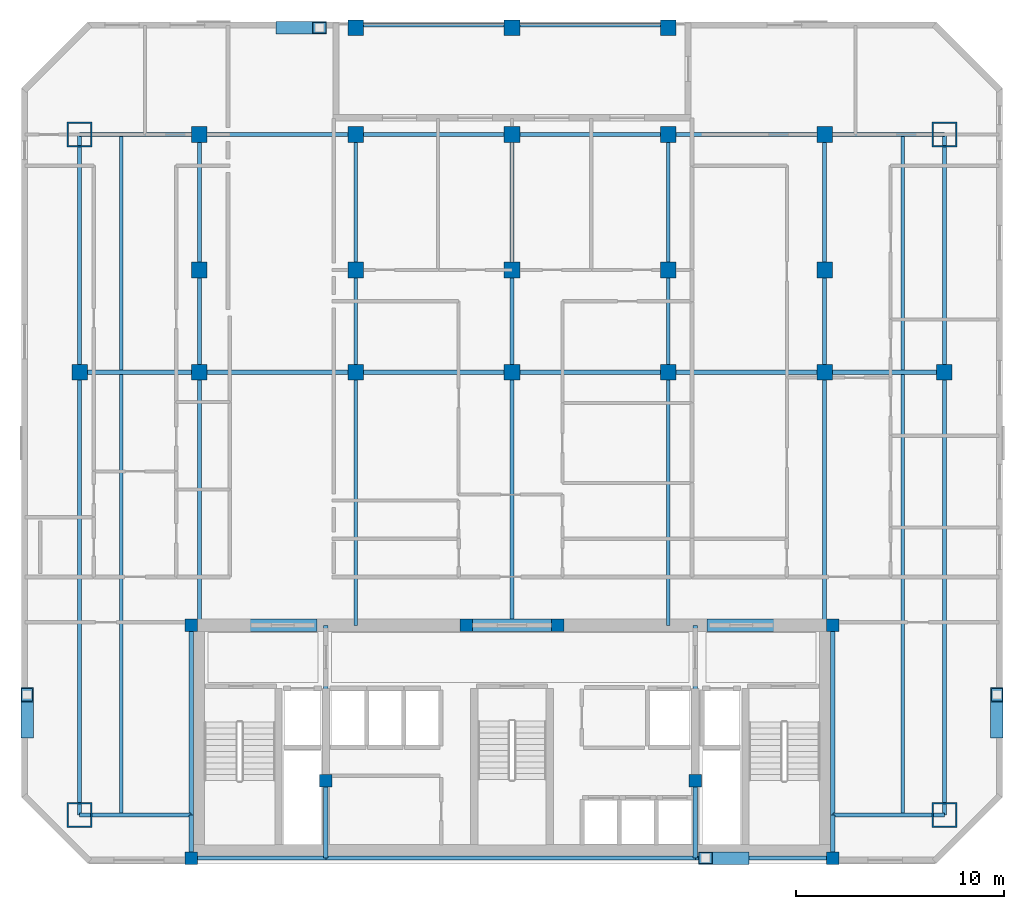
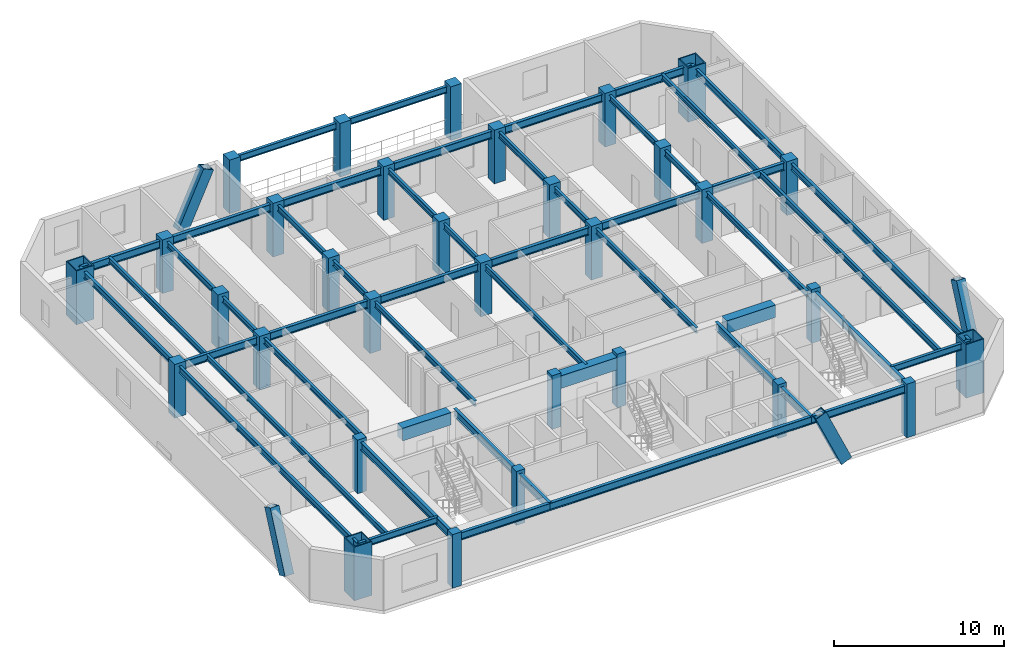
# One storey, part 1 of 8: 48 beams, 32 columns, 4 members.
"""IFC4 building model written with IfcOpenShell, lengths in metres."""

from ifc_helpers import new_model, si_unit, direction, frame, origin, origin_2d, place, context, subcontext, project, spatial, rectangle, hollow_rectangle, i_section, extrude, material, material_profile, profile_set, type_object, element, save


model = new_model("IFC4")

# Units and contexts
model_context = context("Model", 3, precision=1e-05, world=origin(), true_north=direction((0.0, 1.0)))
body_context = subcontext(model_context, "Body", "Model", "MODEL_VIEW")
ifc_project = project(units=[si_unit("LENGTHUNIT", "METRE"), si_unit("AREAUNIT", "SQUARE_METRE"), si_unit("VOLUMEUNIT", "CUBIC_METRE"), si_unit("PLANEANGLEUNIT", "RADIAN"), si_unit("MASSUNIT", "GRAM", prefix="KILO")], contexts=[model_context])

# Site, building, storey
site_placement = place(None, origin())
site = spatial("IfcSite", under=ifc_project, at=site_placement, CompositionType="ELEMENT")
building_placement = place(site_placement, origin())
building = spatial("IfcBuilding", under=site, at=building_placement, Name="Ventersveld Concourse Tower", CompositionType="ELEMENT")
storey_placement = place(building_placement, frame((0.0, 0.0, 196.449951171875)))
storey = spatial("IfcBuildingStorey", under=building, at=storey_placement, Name="L48", CompositionType="ELEMENT", Elevation=196.449951171875)

# Columns
ifc_material_1 = material(Name="Concrete C50/60", Category="concrete")
ifc_material_profile_1 = material_profile(ifc_material_1, rectangle(XDim=0.60009765625, YDim=0.60009765625, at=origin_2d()), Name="RC 600x600")
ifc_profile_set_1 = profile_set([ifc_material_profile_1], Name="Concrete C50/60")
column_type_1 = type_object("IfcColumnType", Name="COL-RC600", PredefinedType="COLUMN", material=ifc_profile_set_1)
for number, where, z_axis, x_axis, name in (
    (1, (13.35009765625, 0.280029296875, 0.0), (0.0, 0.0, 1.0), (1.0, 0.0, 0.0), "L48 Core Spine Column CC-SW"),
    (2, (44.14990234375, 0.280029296875, 0.0), (0.0, 0.0, 1.0), (1.0, 0.0, 0.0), "L48 Core Spine Column CC-SE"),
    (3, (13.35009765625, 11.449951171875, 0.0), (0.0, 0.0, 1.0), (1.0, 0.0, 0.0), "L48 Core Spine Column CC-NW"),
    (4, (44.14990234375, 11.449951171875, 0.0), (0.0, 0.0, 1.0), (1.0, 0.0, 0.0), "L48 Core Spine Column CC-NE"),
    (5, (19.820068359375, 4.0, 0.0), (0.0, 0.0, 1.0), (1.0, 0.0, 0.0), "L48 Core Spine Column CM-1"),
    (6, (37.550048828125, 4.0, 0.0), (0.0, 0.0, 1.0), (1.0, 0.0, 0.0), "L48 Core Spine Column CM-2"),
    (7, (26.550048828125, 11.449951171875, 0.0), (0.0, 0.0, 1.0), (1.0, 0.0, 0.0), "L48 Core Spine Column CM-3"),
    (8, (30.949951171875, 11.449951171875, 0.0), (0.0, 0.0, 1.0), (1.0, 0.0, 0.0), "L48 Core Spine Column CM-4"),
):
    element("IfcColumn", number, at=place(storey_placement, frame(where, z_axis=z_axis, x_axis=x_axis)), inside=storey, type_object=column_type_1, Name=name, PredefinedType="COLUMN", context=body_context, shape_type="SweptSolid", body=[
        extrude(rectangle(XDim=0.60009765625, YDim=0.60009765625, at=origin_2d()), origin(), (0.0, 0.0, 1.0), 3.85009765625),
    ])
ifc_material_profile_2 = material_profile(ifc_material_1, rectangle(XDim=0.75, YDim=0.75, at=origin_2d()), Name="RC 750x750")
ifc_profile_set_2 = profile_set([ifc_material_profile_2], Name="Concrete C50/60")
column_type_2 = type_object("IfcColumnType", Name="COL-RC750", PredefinedType="COLUMN", material=ifc_profile_set_2)
for number, where, z_axis, x_axis, name in (
    (9, (8.0, 23.60009765625, 0.0), (0.0, 0.0, 1.0), (1.0, 0.0, 0.0), "L48 Interior Gravity Column X=8.00 Y=23.60"),
    (10, (13.75, 23.60009765625, 0.0), (0.0, 0.0, 1.0), (1.0, 0.0, 0.0), "L48 Interior Gravity Column X=13.75 Y=23.60"),
    (11, (21.25, 23.60009765625, 0.0), (0.0, 0.0, 1.0), (1.0, 0.0, 0.0), "L48 Interior Gravity Column X=21.25 Y=23.60"),
    (12, (28.75, 23.60009765625, 0.0), (0.0, 0.0, 1.0), (1.0, 0.0, 0.0), "L48 Interior Gravity Column X=28.75 Y=23.60"),
    (13, (36.25, 23.60009765625, 0.0), (0.0, 0.0, 1.0), (1.0, 0.0, 0.0), "L48 Interior Gravity Column X=36.25 Y=23.60"),
    (14, (43.75, 23.60009765625, 0.0), (0.0, 0.0, 1.0), (1.0, 0.0, 0.0), "L48 Interior Gravity Column X=43.75 Y=23.60"),
    (15, (49.5, 23.60009765625, 0.0), (0.0, 0.0, 1.0), (1.0, 0.0, 0.0), "L48 Interior Gravity Column X=49.50 Y=23.60"),
    (16, (13.75, 28.5, 0.0), (0.0, 0.0, 1.0), (1.0, 0.0, 0.0), "L48 Upper-North Gravity Column X=13.75 Y=28.50"),
    (17, (21.25, 28.5, 0.0), (0.0, 0.0, 1.0), (1.0, 0.0, 0.0), "L48 Upper-North Gravity Column X=21.25 Y=28.50"),
    (18, (28.75, 28.5, 0.0), (0.0, 0.0, 1.0), (1.0, 0.0, 0.0), "L48 Upper-North Gravity Column X=28.75 Y=28.50"),
    (19, (36.25, 28.5, 0.0), (0.0, 0.0, 1.0), (1.0, 0.0, 0.0), "L48 Upper-North Gravity Column X=36.25 Y=28.50"),
    (20, (43.75, 28.5, 0.0), (0.0, 0.0, 1.0), (1.0, 0.0, 0.0), "L48 Upper-North Gravity Column X=43.75 Y=28.50"),
    (21, (21.25, 40.1201171875, 0.0), (0.0, 0.0, 1.0), (1.0, 0.0, 0.0), "L48 North Brace Node Column X=21.25 Y=40.12"),
    (22, (28.75, 40.1201171875, 0.0), (0.0, 0.0, 1.0), (1.0, 0.0, 0.0), "L48 North Brace Node Column X=28.75 Y=40.12"),
    (23, (36.25, 40.1201171875, 0.0), (0.0, 0.0, 1.0), (1.0, 0.0, 0.0), "L48 North Brace Node Column X=36.25 Y=40.12"),
    (24, (13.75, 35.0, 0.0), (0.0, 0.0, 1.0), (1.0, 0.0, 0.0), "L48 Mid-North Column X=13.75 Y=35.00"),
    (25, (21.25, 35.0, 0.0), (0.0, 0.0, 1.0), (1.0, 0.0, 0.0), "L48 Mid-North Column X=21.25 Y=35.00"),
    (26, (28.75, 35.0, 0.0), (0.0, 0.0, 1.0), (1.0, 0.0, 0.0), "L48 Mid-North Column X=28.75 Y=35.00"),
    (27, (36.25, 35.0, 0.0), (0.0, 0.0, 1.0), (1.0, 0.0, 0.0), "L48 Mid-North Column X=36.25 Y=35.00"),
    (28, (43.75, 35.0, 0.0), (0.0, 0.0, 1.0), (1.0, 0.0, 0.0), "L48 Mid-North Column X=43.75 Y=35.00"),
):
    element("IfcColumn", number, at=place(storey_placement, frame(where, z_axis=z_axis, x_axis=x_axis)), inside=storey, type_object=column_type_2, Name=name, PredefinedType="COLUMN", context=body_context, shape_type="SweptSolid", body=[
        extrude(rectangle(XDim=0.75, YDim=0.75, at=origin_2d()), origin(), (0.0, 0.0, 1.0), 3.85009765625),
    ])
ifc_material_2 = material(Name="Structural steel S460ML", Category="steel")
ifc_material_profile_3 = material_profile(ifc_material_2, hollow_rectangle(XDim=1.199951171875, YDim=1.199951171875, WallThickness=0.070068359375, at=origin_2d()), Name="BOX 1200x1200x70")
ifc_profile_set_3 = profile_set([ifc_material_profile_3], Name="Structural steel S460ML")
column_type_3 = type_object("IfcColumnType", Name="MC-1200", PredefinedType="USERDEFINED", material=ifc_profile_set_3)
for number, where, z_axis, x_axis, name in (
    (29, (8.0, 2.35009765625, 0.0), (0.0, 0.0, 1.0), (1.0, 0.0, 0.0), "L48 Corner Mega-Column MC-SW"),
    (30, (49.5, 2.35009765625, 0.0), (0.0, 0.0, 1.0), (1.0, 0.0, 0.0), "L48 Corner Mega-Column MC-SE"),
    (31, (49.5, 35.0, 0.0), (0.0, 0.0, 1.0), (1.0, 0.0, 0.0), "L48 Corner Mega-Column MC-NE"),
    (32, (8.0, 35.0, 0.0), (0.0, 0.0, 1.0), (1.0, 0.0, 0.0), "L48 Corner Mega-Column MC-NW"),
):
    element("IfcColumn", number, at=place(storey_placement, frame(where, z_axis=z_axis, x_axis=x_axis)), inside=storey, type_object=column_type_3, Name=name, ObjectType="MEGA_COLUMN", PredefinedType="USERDEFINED", context=body_context, shape_type="SweptSolid", body=[
        extrude(hollow_rectangle(XDim=1.199951171875, YDim=1.199951171875, WallThickness=0.070068359375, at=origin_2d()), origin(), (0.0, 0.0, 1.0), 3.85009765625),
    ])

# Beams
ifc_material_3 = material(Name="Structural steel S355J2", Category="steel")
ifc_material_profile_4 = material_profile(ifc_material_3, i_section(OverallWidth=0.177978515625, OverallDepth=0.406494140625, WebThickness=0.0078125, FlangeThickness=0.0126953125, FilletRadius=0.01025390625, at=origin_2d()), Name="UB 406x178x60")
ifc_profile_set_4 = profile_set([ifc_material_profile_4], Name="Structural steel S355J2")
beam_type_1 = type_object("IfcBeamType", Name="BM-UB406", PredefinedType="BEAM", material=ifc_profile_set_4)
beam_1_placement = place(storey_placement, frame((10.0, 2.35009765625, 3.4267578125), z_axis=(0.0, 1.0, 0.0), x_axis=(-1.0, 0.0, 0.0)))
element("IfcBeam", 33, at=beam_1_placement, inside=storey, type_object=beam_type_1, Name="L48 N-S Composite Floor Beam South X=10.00", PredefinedType="BEAM", context=body_context, shape_type="SweptSolid", body=[
    extrude(i_section(OverallWidth=0.177978515625, OverallDepth=0.406494140625, WebThickness=0.0078125, FlangeThickness=0.0126953125, FilletRadius=0.01025390625, at=origin_2d()), origin(), (0.0, 0.0, 1.0), 21.15478515625),
])
beam_2_placement = place(storey_placement, frame((10.0, 23.695068359375, 3.4267578125), z_axis=(0.0, 1.0, 0.0), x_axis=(-1.0, 0.0, 0.0)))
element("IfcBeam", 34, at=beam_2_placement, inside=storey, type_object=beam_type_1, Name="L48 N-S Composite Floor Beam Mid X=10.00", PredefinedType="BEAM", context=body_context, shape_type="SweptSolid", body=[
    extrude(i_section(OverallWidth=0.177978515625, OverallDepth=0.406494140625, WebThickness=0.0078125, FlangeThickness=0.0126953125, FilletRadius=0.01025390625, at=origin_2d()), origin(), (0.0, 0.0, 1.0), 11.304931640625),
])
beam_3_placement = place(storey_placement, frame((13.75, 11.449951171875, 3.4267578125), z_axis=(0.0, 1.0, 0.0), x_axis=(-1.0, 0.0, 0.0)))
element("IfcBeam", 35, at=beam_3_placement, inside=storey, type_object=beam_type_1, Name="L48 N-S Composite Floor Beam South X=13.75", PredefinedType="BEAM", context=body_context, shape_type="SweptSolid", body=[
    extrude(i_section(OverallWidth=0.177978515625, OverallDepth=0.406494140625, WebThickness=0.0078125, FlangeThickness=0.0126953125, FilletRadius=0.01025390625, at=origin_2d()), origin(), (0.0, 0.0, 1.0), 12.150146484375),
])
beam_4_placement = place(storey_placement, frame((13.75, 23.60009765625, 3.4267578125), z_axis=(0.0, 1.0, 0.0), x_axis=(-1.0, 0.0, 0.0)))
element("IfcBeam", 36, at=beam_4_placement, inside=storey, type_object=beam_type_1, Name="L48 N-S Composite Floor Beam Mid X=13.75", PredefinedType="BEAM", context=body_context, shape_type="SweptSolid", body=[
    extrude(i_section(OverallWidth=0.177978515625, OverallDepth=0.406494140625, WebThickness=0.0078125, FlangeThickness=0.0126953125, FilletRadius=0.01025390625, at=origin_2d()), origin(), (0.0, 0.0, 1.0), 11.39990234375),
])
beam_5_placement = place(storey_placement, frame((21.25, 11.449951171875, 3.4267578125), z_axis=(0.0, 1.0, 0.0), x_axis=(-1.0, 0.0, 0.0)))
element("IfcBeam", 37, at=beam_5_placement, inside=storey, type_object=beam_type_1, Name="L48 N-S Composite Floor Beam South X=21.25", PredefinedType="BEAM", context=body_context, shape_type="SweptSolid", body=[
    extrude(i_section(OverallWidth=0.177978515625, OverallDepth=0.406494140625, WebThickness=0.0078125, FlangeThickness=0.0126953125, FilletRadius=0.01025390625, at=origin_2d()), origin(), (0.0, 0.0, 1.0), 12.150146484375),
])
beam_6_placement = place(storey_placement, frame((21.25, 23.60009765625, 3.4267578125), z_axis=(0.0, 1.0, 0.0), x_axis=(-1.0, 0.0, 0.0)))
element("IfcBeam", 38, at=beam_6_placement, inside=storey, type_object=beam_type_1, Name="L48 N-S Composite Floor Beam Mid X=21.25", PredefinedType="BEAM", context=body_context, shape_type="SweptSolid", body=[
    extrude(i_section(OverallWidth=0.177978515625, OverallDepth=0.406494140625, WebThickness=0.0078125, FlangeThickness=0.0126953125, FilletRadius=0.01025390625, at=origin_2d()), origin(), (0.0, 0.0, 1.0), 11.39990234375),
])
beam_7_placement = place(storey_placement, frame((28.75, 11.449951171875, 3.4267578125), z_axis=(0.0, 1.0, 0.0), x_axis=(-1.0, 0.0, 0.0)))
element("IfcBeam", 39, at=beam_7_placement, inside=storey, type_object=beam_type_1, Name="L48 N-S Composite Floor Beam South X=28.75", PredefinedType="BEAM", context=body_context, shape_type="SweptSolid", body=[
    extrude(i_section(OverallWidth=0.177978515625, OverallDepth=0.406494140625, WebThickness=0.0078125, FlangeThickness=0.0126953125, FilletRadius=0.01025390625, at=origin_2d()), origin(), (0.0, 0.0, 1.0), 12.150146484375),
])
beam_8_placement = place(storey_placement, frame((28.75, 23.60009765625, 3.4267578125), z_axis=(0.0, 1.0, 0.0), x_axis=(-1.0, 0.0, 0.0)))
element("IfcBeam", 40, at=beam_8_placement, inside=storey, type_object=beam_type_1, Name="L48 N-S Composite Floor Beam Mid X=28.75", PredefinedType="BEAM", context=body_context, shape_type="SweptSolid", body=[
    extrude(i_section(OverallWidth=0.177978515625, OverallDepth=0.406494140625, WebThickness=0.0078125, FlangeThickness=0.0126953125, FilletRadius=0.01025390625, at=origin_2d()), origin(), (0.0, 0.0, 1.0), 11.39990234375),
])
beam_9_placement = place(storey_placement, frame((36.25, 11.449951171875, 3.4267578125), z_axis=(0.0, 1.0, 0.0), x_axis=(-1.0, 0.0, 0.0)))
element("IfcBeam", 41, at=beam_9_placement, inside=storey, type_object=beam_type_1, Name="L48 N-S Composite Floor Beam South X=36.25", PredefinedType="BEAM", context=body_context, shape_type="SweptSolid", body=[
    extrude(i_section(OverallWidth=0.177978515625, OverallDepth=0.406494140625, WebThickness=0.0078125, FlangeThickness=0.0126953125, FilletRadius=0.01025390625, at=origin_2d()), origin(), (0.0, 0.0, 1.0), 12.150146484375),
])
beam_10_placement = place(storey_placement, frame((36.25, 23.60009765625, 3.4267578125), z_axis=(0.0, 1.0, 0.0), x_axis=(-1.0, 0.0, 0.0)))
element("IfcBeam", 42, at=beam_10_placement, inside=storey, type_object=beam_type_1, Name="L48 N-S Composite Floor Beam Mid X=36.25", PredefinedType="BEAM", context=body_context, shape_type="SweptSolid", body=[
    extrude(i_section(OverallWidth=0.177978515625, OverallDepth=0.406494140625, WebThickness=0.0078125, FlangeThickness=0.0126953125, FilletRadius=0.01025390625, at=origin_2d()), origin(), (0.0, 0.0, 1.0), 11.39990234375),
])
beam_11_placement = place(storey_placement, frame((43.75, 11.449951171875, 3.4267578125), z_axis=(0.0, 1.0, 0.0), x_axis=(-1.0, 0.0, 0.0)))
element("IfcBeam", 43, at=beam_11_placement, inside=storey, type_object=beam_type_1, Name="L48 N-S Composite Floor Beam South X=43.75", PredefinedType="BEAM", context=body_context, shape_type="SweptSolid", body=[
    extrude(i_section(OverallWidth=0.177978515625, OverallDepth=0.406494140625, WebThickness=0.0078125, FlangeThickness=0.0126953125, FilletRadius=0.01025390625, at=origin_2d()), origin(), (0.0, 0.0, 1.0), 12.150146484375),
])
beam_12_placement = place(storey_placement, frame((43.75, 23.60009765625, 3.4267578125), z_axis=(0.0, 1.0, 0.0), x_axis=(-1.0, 0.0, 0.0)))
element("IfcBeam", 44, at=beam_12_placement, inside=storey, type_object=beam_type_1, Name="L48 N-S Composite Floor Beam Mid X=43.75", PredefinedType="BEAM", context=body_context, shape_type="SweptSolid", body=[
    extrude(i_section(OverallWidth=0.177978515625, OverallDepth=0.406494140625, WebThickness=0.0078125, FlangeThickness=0.0126953125, FilletRadius=0.01025390625, at=origin_2d()), origin(), (0.0, 0.0, 1.0), 11.39990234375),
])
beam_13_placement = place(storey_placement, frame((47.5, 2.35009765625, 3.4267578125), z_axis=(0.0, 1.0, 0.0), x_axis=(-1.0, 0.0, 0.0)))
element("IfcBeam", 45, at=beam_13_placement, inside=storey, type_object=beam_type_1, Name="L48 N-S Composite Floor Beam South X=47.50", PredefinedType="BEAM", context=body_context, shape_type="SweptSolid", body=[
    extrude(i_section(OverallWidth=0.177978515625, OverallDepth=0.406494140625, WebThickness=0.0078125, FlangeThickness=0.0126953125, FilletRadius=0.01025390625, at=origin_2d()), origin(), (0.0, 0.0, 1.0), 21.15478515625),
])
beam_14_placement = place(storey_placement, frame((47.5, 23.695068359375, 3.4267578125), z_axis=(0.0, 1.0, 0.0), x_axis=(-1.0, 0.0, 0.0)))
element("IfcBeam", 46, at=beam_14_placement, inside=storey, type_object=beam_type_1, Name="L48 N-S Composite Floor Beam Mid X=47.50", PredefinedType="BEAM", context=body_context, shape_type="SweptSolid", body=[
    extrude(i_section(OverallWidth=0.177978515625, OverallDepth=0.406494140625, WebThickness=0.0078125, FlangeThickness=0.0126953125, FilletRadius=0.01025390625, at=origin_2d()), origin(), (0.0, 0.0, 1.0), 11.304931640625),
])
ifc_material_profile_5 = material_profile(ifc_material_1, rectangle(XDim=0.60009765625, YDim=0.89990234375, at=origin_2d()), Name="RC 600x900")
ifc_profile_set_5 = profile_set([ifc_material_profile_5], Name="Concrete C50/60")
beam_type_2 = type_object("IfcBeamType", Name="CB-RC600x900U", PredefinedType="LINTEL", material=ifc_profile_set_5)
beam_15_placement = place(storey_placement, frame((16.10009765625, 11.449951171875, 3.179931640625), z_axis=(1.0, 0.0, 0.0), x_axis=(0.0, 1.0, 0.0)))
element("IfcBeam", 47, at=beam_15_placement, inside=storey, type_object=beam_type_2, Name="L48 Core Coupling Lintel Beam 1", PredefinedType="LINTEL", context=body_context, shape_type="SweptSolid", body=[
    extrude(rectangle(XDim=0.60009765625, YDim=0.89990234375, at=origin_2d()), origin(), (0.0, 0.0, 1.0), 3.2998046875),
])
beam_16_placement = place(storey_placement, frame((26.5, 11.449951171875, 3.179931640625), z_axis=(1.0, 0.0, 0.0), x_axis=(0.0, 1.0, 0.0)))
element("IfcBeam", 48, at=beam_16_placement, inside=storey, type_object=beam_type_2, Name="L48 Core Coupling Lintel Beam 2", PredefinedType="LINTEL", context=body_context, shape_type="SweptSolid", body=[
    extrude(rectangle(XDim=0.60009765625, YDim=0.89990234375, at=origin_2d()), origin(), (0.0, 0.0, 1.0), 4.5),
])
beam_17_placement = place(storey_placement, frame((38.10009765625, 11.449951171875, 3.179931640625), z_axis=(1.0, 0.0, 0.0), x_axis=(0.0, 1.0, 0.0)))
element("IfcBeam", 49, at=beam_17_placement, inside=storey, type_object=beam_type_2, Name="L48 Core Coupling Lintel Beam 3", PredefinedType="LINTEL", context=body_context, shape_type="SweptSolid", body=[
    extrude(rectangle(XDim=0.60009765625, YDim=0.89990234375, at=origin_2d()), origin(), (0.0, 0.0, 1.0), 3.2998046875),
])
ifc_material_profile_6 = material_profile(ifc_material_3, i_section(OverallWidth=0.2119140625, OverallDepth=0.54443359375, WebThickness=0.0126953125, FlangeThickness=0.021240234375, FilletRadius=0.0126953125, at=origin_2d()), Name="UB 533x210x122")
ifc_profile_set_6 = profile_set([ifc_material_profile_6], Name="Structural steel S355J2")
beam_type_3 = type_object("IfcBeamType", Name="GRD-UB533H", PredefinedType="T_BEAM", material=ifc_profile_set_6)
beam_18_placement = place(storey_placement, frame((13.35009765625, 0.280029296875, 3.357666015625), z_axis=(0.0, 1.0, 0.0), x_axis=(-1.0, 0.0, 0.0)))
element("IfcBeam", 50, at=beam_18_placement, inside=storey, type_object=beam_type_3, Name="L48 Core West Tie Beam S", PredefinedType="T_BEAM", context=body_context, shape_type="SweptSolid", body=[
    extrude(i_section(OverallWidth=0.2119140625, OverallDepth=0.54443359375, WebThickness=0.0126953125, FlangeThickness=0.021240234375, FilletRadius=0.0126953125, at=origin_2d()), origin(), (0.0, 0.0, 1.0), 2.070068359375),
])
beam_19_placement = place(storey_placement, frame((13.35009765625, 2.35009765625, 3.357666015625), z_axis=(0.0, 1.0, 0.0), x_axis=(-1.0, 0.0, 0.0)))
element("IfcBeam", 51, at=beam_19_placement, inside=storey, type_object=beam_type_3, Name="L48 Core West Tie Beam N", PredefinedType="T_BEAM", context=body_context, shape_type="SweptSolid", body=[
    extrude(i_section(OverallWidth=0.2119140625, OverallDepth=0.54443359375, WebThickness=0.0126953125, FlangeThickness=0.021240234375, FilletRadius=0.0126953125, at=origin_2d()), origin(), (0.0, 0.0, 1.0), 9.099853515625),
])
beam_20_placement = place(storey_placement, frame((44.14990234375, 0.280029296875, 3.357666015625), z_axis=(0.0, 1.0, 0.0), x_axis=(-1.0, 0.0, 0.0)))
element("IfcBeam", 52, at=beam_20_placement, inside=storey, type_object=beam_type_3, Name="L48 Core East Tie Beam S", PredefinedType="T_BEAM", context=body_context, shape_type="SweptSolid", body=[
    extrude(i_section(OverallWidth=0.2119140625, OverallDepth=0.54443359375, WebThickness=0.0126953125, FlangeThickness=0.021240234375, FilletRadius=0.0126953125, at=origin_2d()), origin(), (0.0, 0.0, 1.0), 2.070068359375),
])
beam_21_placement = place(storey_placement, frame((44.14990234375, 2.35009765625, 3.357666015625), z_axis=(0.0, 1.0, 0.0), x_axis=(-1.0, 0.0, 0.0)))
element("IfcBeam", 53, at=beam_21_placement, inside=storey, type_object=beam_type_3, Name="L48 Core East Tie Beam N", PredefinedType="T_BEAM", context=body_context, shape_type="SweptSolid", body=[
    extrude(i_section(OverallWidth=0.2119140625, OverallDepth=0.54443359375, WebThickness=0.0126953125, FlangeThickness=0.021240234375, FilletRadius=0.0126953125, at=origin_2d()), origin(), (0.0, 0.0, 1.0), 9.099853515625),
])
beam_22_placement = place(storey_placement, frame((13.35009765625, 0.280029296875, 3.357666015625), z_axis=(1.0, 0.0, 0.0), x_axis=(0.0, 1.0, 0.0)))
element("IfcBeam", 54, at=beam_22_placement, inside=storey, type_object=beam_type_3, Name="L48 Core South Tie Beam W", PredefinedType="T_BEAM", context=body_context, shape_type="SweptSolid", body=[
    extrude(i_section(OverallWidth=0.2119140625, OverallDepth=0.54443359375, WebThickness=0.0126953125, FlangeThickness=0.021240234375, FilletRadius=0.0126953125, at=origin_2d()), origin(), (0.0, 0.0, 1.0), 6.469970703125),
])
beam_23_placement = place(storey_placement, frame((19.820068359375, 0.280029296875, 3.357666015625), z_axis=(1.0, 0.0, 0.0), x_axis=(0.0, 1.0, 0.0)))
element("IfcBeam", 55, at=beam_23_placement, inside=storey, type_object=beam_type_3, Name="L48 Core South Tie Beam C", PredefinedType="T_BEAM", context=body_context, shape_type="SweptSolid", body=[
    extrude(i_section(OverallWidth=0.2119140625, OverallDepth=0.54443359375, WebThickness=0.0126953125, FlangeThickness=0.021240234375, FilletRadius=0.0126953125, at=origin_2d()), origin(), (0.0, 0.0, 1.0), 17.72998046875),
])
beam_24_placement = place(storey_placement, frame((37.550048828125, 0.280029296875, 3.357666015625), z_axis=(1.0, 0.0, 0.0), x_axis=(0.0, 1.0, 0.0)))
element("IfcBeam", 56, at=beam_24_placement, inside=storey, type_object=beam_type_3, Name="L48 Core South Tie Beam E", PredefinedType="T_BEAM", context=body_context, shape_type="SweptSolid", body=[
    extrude(i_section(OverallWidth=0.2119140625, OverallDepth=0.54443359375, WebThickness=0.0126953125, FlangeThickness=0.021240234375, FilletRadius=0.0126953125, at=origin_2d()), origin(), (0.0, 0.0, 1.0), 6.599853515625),
])
beam_25_placement = place(storey_placement, frame((19.820068359375, 0.280029296875, 3.357666015625), z_axis=(0.0, 1.0, 0.0), x_axis=(-1.0, 0.0, 0.0)))
element("IfcBeam", 57, at=beam_25_placement, inside=storey, type_object=beam_type_3, Name="L48 Core Spine N-S Tie Beam W1", PredefinedType="T_BEAM", context=body_context, shape_type="SweptSolid", body=[
    extrude(i_section(OverallWidth=0.2119140625, OverallDepth=0.54443359375, WebThickness=0.0126953125, FlangeThickness=0.021240234375, FilletRadius=0.0126953125, at=origin_2d()), origin(), (0.0, 0.0, 1.0), 3.719970703125),
])
beam_26_placement = place(storey_placement, frame((19.820068359375, 4.0, 3.357666015625), z_axis=(0.0, 1.0, 0.0), x_axis=(-1.0, 0.0, 0.0)))
element("IfcBeam", 58, at=beam_26_placement, inside=storey, type_object=beam_type_3, Name="L48 Core Spine N-S Tie Beam W2", PredefinedType="T_BEAM", context=body_context, shape_type="SweptSolid", body=[
    extrude(i_section(OverallWidth=0.2119140625, OverallDepth=0.54443359375, WebThickness=0.0126953125, FlangeThickness=0.021240234375, FilletRadius=0.0126953125, at=origin_2d()), origin(), (0.0, 0.0, 1.0), 7.449951171875),
])
beam_27_placement = place(storey_placement, frame((37.550048828125, 0.280029296875, 3.357666015625), z_axis=(0.0, 1.0, 0.0), x_axis=(-1.0, 0.0, 0.0)))
element("IfcBeam", 59, at=beam_27_placement, inside=storey, type_object=beam_type_3, Name="L48 Core Spine N-S Tie Beam E1", PredefinedType="T_BEAM", context=body_context, shape_type="SweptSolid", body=[
    extrude(i_section(OverallWidth=0.2119140625, OverallDepth=0.54443359375, WebThickness=0.0126953125, FlangeThickness=0.021240234375, FilletRadius=0.0126953125, at=origin_2d()), origin(), (0.0, 0.0, 1.0), 3.719970703125),
])
beam_28_placement = place(storey_placement, frame((37.550048828125, 4.0, 3.357666015625), z_axis=(0.0, 1.0, 0.0), x_axis=(-1.0, 0.0, 0.0)))
element("IfcBeam", 60, at=beam_28_placement, inside=storey, type_object=beam_type_3, Name="L48 Core Spine N-S Tie Beam E2", PredefinedType="T_BEAM", context=body_context, shape_type="SweptSolid", body=[
    extrude(i_section(OverallWidth=0.2119140625, OverallDepth=0.54443359375, WebThickness=0.0126953125, FlangeThickness=0.021240234375, FilletRadius=0.0126953125, at=origin_2d()), origin(), (0.0, 0.0, 1.0), 7.449951171875),
])
beam_29_placement = place(storey_placement, frame((8.0, 23.60009765625, 3.357666015625), z_axis=(1.0, 0.0, 0.0), x_axis=(0.0, 1.0, 0.0)))
element("IfcBeam", 61, at=beam_29_placement, inside=storey, type_object=beam_type_3, Name="L48 Primary E-W Grid Girder Y=23.60 #1", PredefinedType="T_BEAM", context=body_context, shape_type="SweptSolid", body=[
    extrude(i_section(OverallWidth=0.2119140625, OverallDepth=0.54443359375, WebThickness=0.0126953125, FlangeThickness=0.021240234375, FilletRadius=0.0126953125, at=origin_2d()), origin(), (0.0, 0.0, 1.0), 5.75),
])
for number, where, z_axis, x_axis, name in (
    (62, (13.75, 23.60009765625, 3.357666015625), (1.0, 0.0, 0.0), (0.0, 1.0, 0.0), "L48 Primary E-W Grid Girder Y=23.60 #2"),
    (63, (21.25, 23.60009765625, 3.357666015625), (1.0, 0.0, 0.0), (0.0, 1.0, 0.0), "L48 Primary E-W Grid Girder Y=23.60 #3"),
    (64, (28.75, 23.60009765625, 3.357666015625), (1.0, 0.0, 0.0), (0.0, 1.0, 0.0), "L48 Primary E-W Grid Girder Y=23.60 #4"),
    (65, (36.25, 23.60009765625, 3.357666015625), (1.0, 0.0, 0.0), (0.0, 1.0, 0.0), "L48 Primary E-W Grid Girder Y=23.60 #5"),
):
    element("IfcBeam", number, at=place(storey_placement, frame(where, z_axis=z_axis, x_axis=x_axis)), inside=storey, type_object=beam_type_3, Name=name, PredefinedType="T_BEAM", context=body_context, shape_type="SweptSolid", body=[
        extrude(i_section(OverallWidth=0.2119140625, OverallDepth=0.54443359375, WebThickness=0.0126953125, FlangeThickness=0.021240234375, FilletRadius=0.0126953125, at=origin_2d()), origin(), (0.0, 0.0, 1.0), 7.5),
    ])
for number, where, z_axis, x_axis, name in (
    (66, (43.75, 23.60009765625, 3.357666015625), (1.0, 0.0, 0.0), (0.0, 1.0, 0.0), "L48 Primary E-W Grid Girder Y=23.60 #6"),
    (67, (8.0, 35.0, 3.357666015625), (1.0, 0.0, 0.0), (0.0, 1.0, 0.0), "L48 E-W Grid Girder Y=35.00 #1"),
):
    element("IfcBeam", number, at=place(storey_placement, frame(where, z_axis=z_axis, x_axis=x_axis)), inside=storey, type_object=beam_type_3, Name=name, PredefinedType="T_BEAM", context=body_context, shape_type="SweptSolid", body=[
        extrude(i_section(OverallWidth=0.2119140625, OverallDepth=0.54443359375, WebThickness=0.0126953125, FlangeThickness=0.021240234375, FilletRadius=0.0126953125, at=origin_2d()), origin(), (0.0, 0.0, 1.0), 5.75),
    ])
for number, where, z_axis, x_axis, name in (
    (68, (13.75, 35.0, 3.357666015625), (1.0, 0.0, 0.0), (0.0, 1.0, 0.0), "L48 E-W Grid Girder Y=35.00 #2"),
    (69, (21.25, 35.0, 3.357666015625), (1.0, 0.0, 0.0), (0.0, 1.0, 0.0), "L48 E-W Grid Girder Y=35.00 #3"),
    (70, (28.75, 35.0, 3.357666015625), (1.0, 0.0, 0.0), (0.0, 1.0, 0.0), "L48 E-W Grid Girder Y=35.00 #4"),
    (71, (36.25, 35.0, 3.357666015625), (1.0, 0.0, 0.0), (0.0, 1.0, 0.0), "L48 E-W Grid Girder Y=35.00 #5"),
):
    element("IfcBeam", number, at=place(storey_placement, frame(where, z_axis=z_axis, x_axis=x_axis)), inside=storey, type_object=beam_type_3, Name=name, PredefinedType="T_BEAM", context=body_context, shape_type="SweptSolid", body=[
        extrude(i_section(OverallWidth=0.2119140625, OverallDepth=0.54443359375, WebThickness=0.0126953125, FlangeThickness=0.021240234375, FilletRadius=0.0126953125, at=origin_2d()), origin(), (0.0, 0.0, 1.0), 7.5),
    ])
beam_30_placement = place(storey_placement, frame((43.75, 35.0, 3.357666015625), z_axis=(1.0, 0.0, 0.0), x_axis=(0.0, 1.0, 0.0)))
element("IfcBeam", 72, at=beam_30_placement, inside=storey, type_object=beam_type_3, Name="L48 E-W Grid Girder Y=35.00 #6", PredefinedType="T_BEAM", context=body_context, shape_type="SweptSolid", body=[
    extrude(i_section(OverallWidth=0.2119140625, OverallDepth=0.54443359375, WebThickness=0.0126953125, FlangeThickness=0.021240234375, FilletRadius=0.0126953125, at=origin_2d()), origin(), (0.0, 0.0, 1.0), 5.75),
])

# Members
ifc_material_4 = material(Name="Structural steel S355ML", Category="steel")
ifc_material_profile_7 = material_profile(ifc_material_4, hollow_rectangle(XDim=0.60009765625, YDim=0.75, WallThickness=0.0400390625, at=origin_2d()), Name="BOX 750x600x40")
ifc_profile_set_7 = profile_set([ifc_material_profile_7], Name="Structural steel S355ML")
member_type = type_object("IfcMemberType", Name="MB-750x600", PredefinedType="BRACE", material=ifc_profile_set_7)
member_1_placement = place(storey_placement, frame((17.77099609375, 40.1201171875, -0.219970703125), z_axis=(0.411733807219, 0.0, 0.911304159978), x_axis=(0.0, 1.0, 0.0)))
element("IfcMember", 73, at=member_1_placement, inside=storey, type_object=member_type, Name="L48 Exterior Mega-Brace N (Module M11)", PredefinedType="BRACE", context=body_context, shape_type="SweptSolid", body=[
    extrude(hollow_rectangle(XDim=0.60009765625, YDim=0.75, WallThickness=0.0400390625, at=origin_2d()), origin(), (0.0, 0.0, 1.0), 4.224853515625),
])
member_2_placement = place(storey_placement, frame((39.77880859375, 0.280029296875, -0.219970703125), z_axis=(-0.411685814665, 0.0, 0.911325841839), x_axis=(0.0, -1.0, 0.0)))
element("IfcMember", 74, at=member_2_placement, inside=storey, type_object=member_type, Name="L48 Exterior Mega-Brace S (Module M11)", PredefinedType="BRACE", context=body_context, shape_type="SweptSolid", body=[
    extrude(hollow_rectangle(XDim=0.60009765625, YDim=0.75, WallThickness=0.0400390625, at=origin_2d()), origin(), (0.0, 0.0, 1.0), 4.224609375),
])
for number, where, z_axis, x_axis, name in (
    (75, (5.47998046875, 6.37109375, -0.219970703125), (0.0, 0.411733807219, 0.911304159978), (-1.0, 0.0, 0.0), "L48 Exterior Mega-Brace W (Module M11)"),
    (76, (52.02001953125, 6.37109375, -0.219970703125), (0.0, 0.411733807219, 0.911304159978), (-1.0, 0.0, 0.0), "L48 Exterior Mega-Brace E (Module M11)"),
):
    element("IfcMember", number, at=place(storey_placement, frame(where, z_axis=z_axis, x_axis=x_axis)), inside=storey, type_object=member_type, Name=name, PredefinedType="BRACE", context=body_context, shape_type="SweptSolid", body=[
        extrude(hollow_rectangle(XDim=0.60009765625, YDim=0.75, WallThickness=0.0400390625, at=origin_2d()), origin(), (0.0, 0.0, 1.0), 4.224853515625),
    ])

# Beams
ifc_material_profile_8 = material_profile(ifc_material_3, i_section(OverallWidth=0.19140625, OverallDepth=0.4599609375, WebThickness=0.010009765625, FlangeThickness=0.01611328125, FilletRadius=0.01025390625, at=origin_2d()), Name="UB 457x191x82")
ifc_profile_set_8 = profile_set([ifc_material_profile_8], Name="Structural steel S355J2")
beam_type_4 = type_object("IfcBeamType", Name="SPD-UB457", PredefinedType="SPANDREL", material=ifc_profile_set_8)
for number, where, z_axis, x_axis, name in (
    (77, (8.0, 2.35009765625, 3.400146484375), (1.0, 0.0, 0.0), (0.0, 1.0, 0.0), "L48 SW Spandrel Beam"),
    (78, (44.14990234375, 2.35009765625, 3.400146484375), (1.0, 0.0, 0.0), (0.0, 1.0, 0.0), "L48 SE Spandrel Beam"),
):
    element("IfcBeam", number, at=place(storey_placement, frame(where, z_axis=z_axis, x_axis=x_axis)), inside=storey, type_object=beam_type_4, Name=name, PredefinedType="SPANDREL", context=body_context, shape_type="SweptSolid", body=[
        extrude(i_section(OverallWidth=0.19140625, OverallDepth=0.4599609375, WebThickness=0.010009765625, FlangeThickness=0.01611328125, FilletRadius=0.01025390625, at=origin_2d()), origin(), (0.0, 0.0, 1.0), 5.35009765625),
    ])
beam_31_placement = place(storey_placement, frame((8.0, 2.35009765625, 3.400146484375), z_axis=(0.0, 1.0, 0.0), x_axis=(-1.0, 0.0, 0.0)))
element("IfcBeam", 79, at=beam_31_placement, inside=storey, type_object=beam_type_4, Name="L48 West Spandrel Beam S", PredefinedType="SPANDREL", context=body_context, shape_type="SweptSolid", body=[
    extrude(i_section(OverallWidth=0.19140625, OverallDepth=0.4599609375, WebThickness=0.010009765625, FlangeThickness=0.01611328125, FilletRadius=0.01025390625, at=origin_2d()), origin(), (0.0, 0.0, 1.0), 21.25),
])
beam_32_placement = place(storey_placement, frame((8.0, 23.60009765625, 3.400146484375), z_axis=(0.0, 1.0, 0.0), x_axis=(-1.0, 0.0, 0.0)))
element("IfcBeam", 80, at=beam_32_placement, inside=storey, type_object=beam_type_4, Name="L48 West Spandrel Beam N", PredefinedType="SPANDREL", context=body_context, shape_type="SweptSolid", body=[
    extrude(i_section(OverallWidth=0.19140625, OverallDepth=0.4599609375, WebThickness=0.010009765625, FlangeThickness=0.01611328125, FilletRadius=0.01025390625, at=origin_2d()), origin(), (0.0, 0.0, 1.0), 11.39990234375),
])
beam_33_placement = place(storey_placement, frame((49.5, 2.35009765625, 3.400146484375), z_axis=(0.0, 1.0, 0.0), x_axis=(-1.0, 0.0, 0.0)))
element("IfcBeam", 81, at=beam_33_placement, inside=storey, type_object=beam_type_4, Name="L48 East Spandrel Beam S", PredefinedType="SPANDREL", context=body_context, shape_type="SweptSolid", body=[
    extrude(i_section(OverallWidth=0.19140625, OverallDepth=0.4599609375, WebThickness=0.010009765625, FlangeThickness=0.01611328125, FilletRadius=0.01025390625, at=origin_2d()), origin(), (0.0, 0.0, 1.0), 21.25),
])
beam_34_placement = place(storey_placement, frame((49.5, 23.60009765625, 3.400146484375), z_axis=(0.0, 1.0, 0.0), x_axis=(-1.0, 0.0, 0.0)))
element("IfcBeam", 82, at=beam_34_placement, inside=storey, type_object=beam_type_4, Name="L48 East Spandrel Beam N", PredefinedType="SPANDREL", context=body_context, shape_type="SweptSolid", body=[
    extrude(i_section(OverallWidth=0.19140625, OverallDepth=0.4599609375, WebThickness=0.010009765625, FlangeThickness=0.01611328125, FilletRadius=0.01025390625, at=origin_2d()), origin(), (0.0, 0.0, 1.0), 11.39990234375),
])
for number, where, z_axis, x_axis, name in (
    (83, (21.25, 40.25, 3.400146484375), (1.0, 0.0, 0.0), (0.0, 1.0, 0.0), "L48 Terrace Edge Spandrel W"),
    (84, (28.75, 40.25, 3.400146484375), (1.0, 0.0, 0.0), (0.0, 1.0, 0.0), "L48 Terrace Edge Spandrel E"),
):
    element("IfcBeam", number, at=place(storey_placement, frame(where, z_axis=z_axis, x_axis=x_axis)), inside=storey, type_object=beam_type_4, Name=name, PredefinedType="SPANDREL", context=body_context, shape_type="SweptSolid", body=[
        extrude(i_section(OverallWidth=0.19140625, OverallDepth=0.4599609375, WebThickness=0.010009765625, FlangeThickness=0.01611328125, FilletRadius=0.01025390625, at=origin_2d()), origin(), (0.0, 0.0, 1.0), 7.5),
    ])

save(model, "model.ifc")
